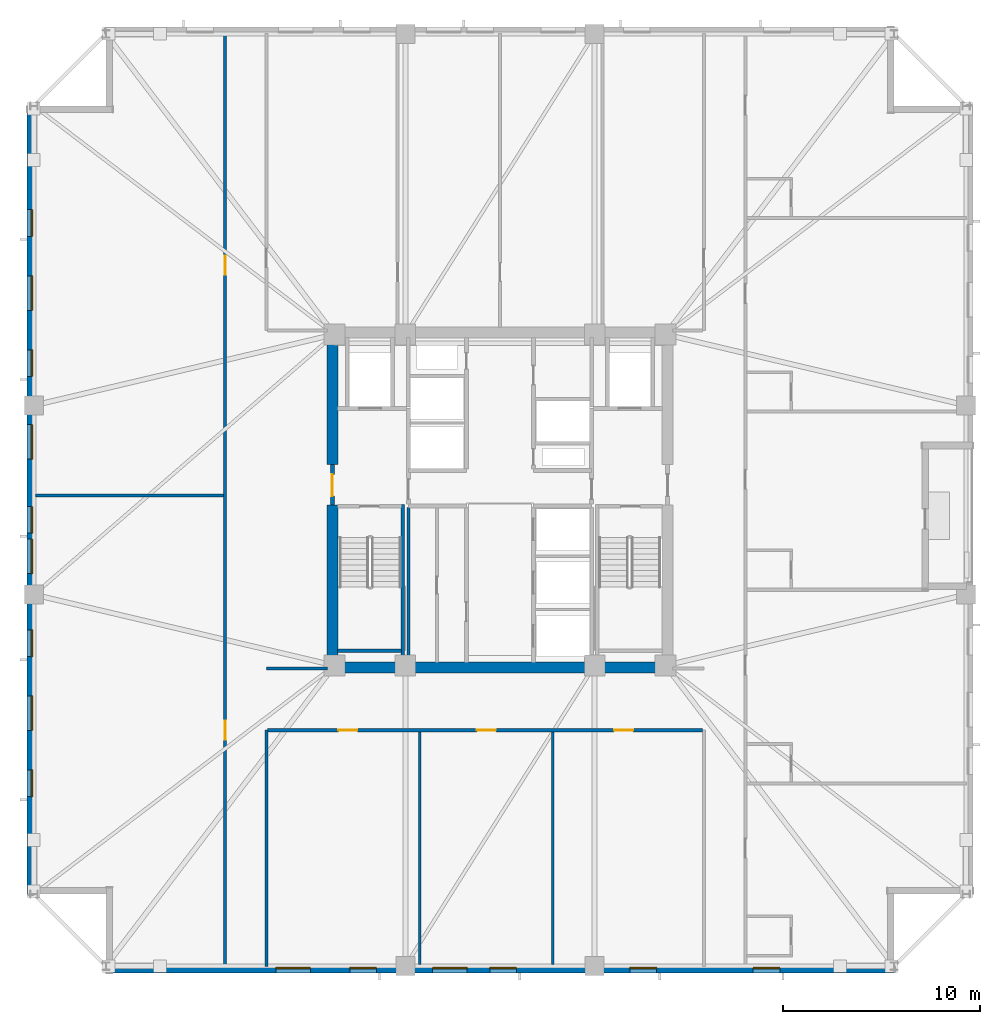
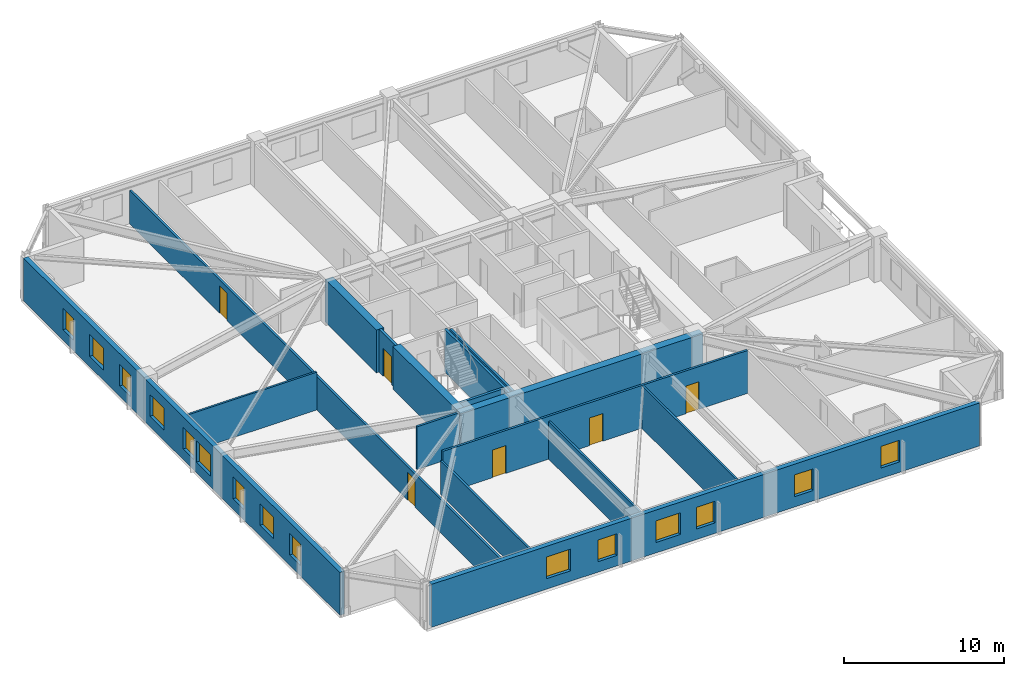
# One storey, part 2 of 10: 16 walls, 15 windows, 6 doors, 21 openings.
"""IFC4 building model written with IfcOpenShell, lengths in metres."""

from ifc_helpers import new_model, si_unit, direction, frame, frame_2d, origin, place, context, subcontext, project, spatial, rectangle, extrude, material, layer, layer_set, type_object, element, fill, save


model = new_model("IFC4")

# Units and contexts
model_context = context("Model", 3, precision=1e-05, world=origin(), true_north=direction((0.0, 1.0)))
body_context = subcontext(model_context, "Body", "Model", "MODEL_VIEW")
ifc_project = project(units=[si_unit("LENGTHUNIT", "METRE"), si_unit("AREAUNIT", "SQUARE_METRE"), si_unit("VOLUMEUNIT", "CUBIC_METRE"), si_unit("PLANEANGLEUNIT", "RADIAN"), si_unit("MASSUNIT", "GRAM", prefix="KILO")], contexts=[model_context])

# Site, building, storey
site_placement = place(None, origin())
site = spatial("IfcSite", under=ifc_project, at=site_placement, CompositionType="ELEMENT")
building_placement = place(site_placement, origin())
building = spatial("IfcBuilding", under=site, at=building_placement, Name="Cairnveth Concourse Tower", CompositionType="ELEMENT")
storey_placement = place(building_placement, frame((0.0, 0.0, 183.0)))
storey = spatial("IfcBuildingStorey", under=building, at=storey_placement, Name="L50", CompositionType="ELEMENT", Elevation=183.0)

# Wall
ifc_material_1 = material(Name="Gypsum Plasterboard Partition", Category="gypsum")
ifc_layer_1 = layer(ifc_material_1, 0.159912109375)
ifc_layer_set_1 = layer_set([ifc_layer_1], Name="Gypsum Plasterboard Partition")
wall_type_1 = type_object("IfcWallType", Name="ACOUSTIC PARTY WALL 180", PredefinedType="PARTITIONING", material=ifc_layer_set_1)
wall_1_placement = place(storey_placement, frame((47.35009765625, 30.760009765625, 0.0), z_axis=(0.0, 0.0, 1.0), x_axis=(0.0, 1.0, 0.0)))
element("IfcWall", 1, at=wall_1_placement, inside=storey, type_object=wall_type_1, Name="Interior Wall IW-L50-025", PredefinedType="PARTITIONING", context=body_context, shape_type="SweptSolid", body=[
    extrude(rectangle(XDim=7.85498046875, YDim=0.159912109375, at=frame_2d((3.927490234375, 0.0))), origin(), (0.0, 0.0, 1.0), 3.280029296875),
])

# Wall, openings, doors
wall_2_placement = place(storey_placement, frame((38.050048828125, 15.324951171875, 0.0), z_axis=(0.0, 0.0, 1.0), x_axis=(0.0, 1.0, 0.0)))
wall_2 = element("IfcWall", 2, at=wall_2_placement, inside=storey, type_object=wall_type_1, Name="Interior Wall IW-L50-036", PredefinedType="PARTITIONING", context=body_context, shape_type="SweptSolid", body=[
    extrude(rectangle(XDim=47.35009765625, YDim=0.159912109375, at=frame_2d((23.675048828125, 0.0))), origin(), (0.0, 0.0, 1.0), 2.554931640625),
])
opening_1_placement = place(wall_2_placement, frame((11.521240234375, 0.0, 0.0)))
opening_1 = element("IfcOpeningElement", 3, at=opening_1_placement, cuts=wall_2, Name="Opening ID11", PredefinedType="OPENING", context=body_context, shape_type="SweptSolid", body=[
    extrude(rectangle(XDim=0.9599609375, YDim=2.1201171875, at=frame_2d((0.47998046875, 1.06005859375))), frame((0.0, 0.08984375, 0.0), z_axis=(0.0, -1.0, 0.0), x_axis=(1.0, 0.0, 0.0)), (0.0, 0.0, 1.0), 0.179931640625),
])
opening_2_placement = place(wall_2_placement, frame((35.101318359375, 0.0, 0.0)))
opening_2 = element("IfcOpeningElement", 4, at=opening_2_placement, cuts=wall_2, Name="Opening ID11", PredefinedType="OPENING", context=body_context, shape_type="SweptSolid", body=[
    extrude(rectangle(XDim=0.9599609375, YDim=2.1201171875, at=frame_2d((0.47998046875, 1.06005859375))), frame((0.0, 0.08984375, 0.0), z_axis=(0.0, -1.0, 0.0), x_axis=(1.0, 0.0, 0.0)), (0.0, 0.0, 1.0), 0.179931640625),
])
ifc_material_2 = material(Name="Solid Core Hardwood Timber Leaf", Category="wood")
door_type_1 = type_object("IfcDoorType", Name="INTERIOR SINGLE DOOR 960X2150", OperationType="NOTDEFINED", PredefinedType="DOOR", material=ifc_material_2)
door_1_placement = place(opening_1_placement, origin())
door_1 = element("IfcDoor", 5, at=door_1_placement, inside=storey, type_object=door_type_1, Name="Office Door L50-W1", OperationType="SINGLE_SWING_RIGHT", OverallHeight=2.1201171875, OverallWidth=0.9599609375, PredefinedType="DOOR", context=body_context, shape_type="SweptSolid", body=[
    extrude(rectangle(XDim=0.9599609375, YDim=2.1201171875, at=frame_2d((0.47998046875, 1.06005859375))), frame((0.0, 0.02490234375, 0.0), z_axis=(0.0, -1.0, 0.0), x_axis=(1.0, 0.0, 0.0)), (0.0, 0.0, 1.0), 0.050048828125),
])
fill(opening_1, door_1)
door_2_placement = place(opening_2_placement, origin())
door_2 = element("IfcDoor", 6, at=door_2_placement, inside=storey, type_object=door_type_1, Name="Office Door L50-W2", OperationType="SINGLE_SWING_LEFT", OverallHeight=2.1201171875, OverallWidth=0.9599609375, PredefinedType="DOOR", context=body_context, shape_type="SweptSolid", body=[
    extrude(rectangle(XDim=0.9599609375, YDim=2.1201171875, at=frame_2d((0.47998046875, 1.06005859375))), frame((0.0, 0.02490234375, 0.0), z_axis=(0.0, -1.0, 0.0), x_axis=(1.0, 0.0, 0.0)), (0.0, 0.0, 1.0), 0.050048828125),
])
fill(opening_2, door_2)

# Walls
wall_3_placement = place(storey_placement, frame((40.14990234375, 15.324951171875, 0.0), z_axis=(0.0, 0.0, 1.0), x_axis=(0.0, 1.0, 0.0)))
element("IfcWall", 7, at=wall_3_placement, inside=storey, type_object=wall_type_1, Name="Interior Wall IW-L50-037", PredefinedType="PARTITIONING", context=body_context, shape_type="SweptSolid", body=[
    extrude(rectangle(XDim=11.9951171875, YDim=0.159912109375, at=frame_2d((5.99755859375, 0.0))), origin(), (0.0, 0.0, 1.0), 2.554931640625),
])
wall_4_placement = place(storey_placement, frame((40.14990234375, 30.449951171875, 0.0), z_axis=(0.0, 0.0, 1.0), x_axis=(1.0, 0.0, 0.0)))
element("IfcWall", 8, at=wall_4_placement, inside=storey, type_object=wall_type_1, Name="Interior Wall IW-L50-039", PredefinedType="PARTITIONING", context=body_context, shape_type="SweptSolid", body=[
    extrude(rectangle(XDim=3.085205078125, YDim=0.159912109375, at=frame_2d((1.54248046875, 0.0))), origin(), (0.0, 0.0, 1.0), 3.280029296875),
])

# Wall, openings, doors
wall_5_placement = place(storey_placement, frame((40.215087890625, 27.320068359375, 0.0), z_axis=(0.0, 0.0, 1.0), x_axis=(1.0, 0.0, 0.0)))
wall_5 = element("IfcWall", 9, at=wall_5_placement, inside=storey, type_object=wall_type_1, Name="Interior Wall IW-L50-046", PredefinedType="PARTITIONING", context=body_context, shape_type="SweptSolid", body=[
    extrude(rectangle(XDim=22.06982421875, YDim=0.159912109375, at=frame_2d((11.034912109375, 0.0))), origin(), (0.0, 0.0, 1.0), 3.280029296875),
])
opening_3_placement = place(wall_5_placement, frame((3.587158203125, 0.0, 0.0)))
opening_3 = element("IfcOpeningElement", 10, at=opening_3_placement, cuts=wall_5, Name="Opening ID11", PredefinedType="OPENING", context=body_context, shape_type="SweptSolid", body=[
    extrude(rectangle(XDim=0.9599609375, YDim=2.1201171875, at=frame_2d((0.47998046875, 1.06005859375))), frame((0.0, 0.08984375, 0.0), z_axis=(0.0, -1.0, 0.0), x_axis=(1.0, 0.0, 0.0)), (0.0, 0.0, 1.0), 0.179931640625),
])
opening_4_placement = place(wall_5_placement, frame((10.610107421875, 0.0, 0.0)))
opening_4 = element("IfcOpeningElement", 11, at=opening_4_placement, cuts=wall_5, Name="Opening ID11", PredefinedType="OPENING", context=body_context, shape_type="SweptSolid", body=[
    extrude(rectangle(XDim=0.9599609375, YDim=2.1201171875, at=frame_2d((0.47998046875, 1.06005859375))), frame((0.0, 0.08984375, 0.0), z_axis=(0.0, -1.0, 0.0), x_axis=(1.0, 0.0, 0.0)), (0.0, 0.0, 1.0), 0.179931640625),
])
opening_5_placement = place(wall_5_placement, frame((17.577880859375, 0.0, 0.0)))
opening_5 = element("IfcOpeningElement", 12, at=opening_5_placement, cuts=wall_5, Name="Opening ID11", PredefinedType="OPENING", context=body_context, shape_type="SweptSolid", body=[
    extrude(rectangle(XDim=0.9599609375, YDim=2.1201171875, at=frame_2d((0.47998046875, 1.06005859375))), frame((0.0, 0.08984375, 0.0), z_axis=(0.0, -1.0, 0.0), x_axis=(1.0, 0.0, 0.0)), (0.0, 0.0, 1.0), 0.179931640625),
])
door_3_placement = place(opening_3_placement, origin())
door_3 = element("IfcDoor", 13, at=door_3_placement, inside=storey, type_object=door_type_1, Name="Office Door L50-S1", OperationType="SINGLE_SWING_LEFT", OverallHeight=2.1201171875, OverallWidth=0.9599609375, PredefinedType="DOOR", context=body_context, shape_type="SweptSolid", body=[
    extrude(rectangle(XDim=0.9599609375, YDim=2.1201171875, at=frame_2d((0.47998046875, 1.06005859375))), frame((0.0, 0.02490234375, 0.0), z_axis=(0.0, -1.0, 0.0), x_axis=(1.0, 0.0, 0.0)), (0.0, 0.0, 1.0), 0.050048828125),
])
fill(opening_3, door_3)
door_4_placement = place(opening_4_placement, origin())
door_4 = element("IfcDoor", 14, at=door_4_placement, inside=storey, type_object=door_type_1, Name="Office Door L50-S2", OperationType="SINGLE_SWING_RIGHT", OverallHeight=2.1201171875, OverallWidth=0.9599609375, PredefinedType="DOOR", context=body_context, shape_type="SweptSolid", body=[
    extrude(rectangle(XDim=0.9599609375, YDim=2.1201171875, at=frame_2d((0.47998046875, 1.06005859375))), frame((0.0, 0.02490234375, 0.0), z_axis=(0.0, -1.0, 0.0), x_axis=(1.0, 0.0, 0.0)), (0.0, 0.0, 1.0), 0.050048828125),
])
fill(opening_4, door_4)
door_5_placement = place(opening_5_placement, origin())
door_5 = element("IfcDoor", 15, at=door_5_placement, inside=storey, type_object=door_type_1, Name="Office Door L50-S3", OperationType="SINGLE_SWING_LEFT", OverallHeight=2.1201171875, OverallWidth=0.9599609375, PredefinedType="DOOR", context=body_context, shape_type="SweptSolid", body=[
    extrude(rectangle(XDim=0.9599609375, YDim=2.1201171875, at=frame_2d((0.47998046875, 1.06005859375))), frame((0.0, 0.02490234375, 0.0), z_axis=(0.0, -1.0, 0.0), x_axis=(1.0, 0.0, 0.0)), (0.0, 0.0, 1.0), 0.050048828125),
])
fill(opening_5, door_5)

# Walls
ifc_material_3 = material(Name="Concrete N80 (80 MPa)", Category="concrete")
ifc_layer_2 = layer(ifc_material_3, 0.550048828125)
ifc_layer_set_2 = layer_set([ifc_layer_2], Name="Concrete N80 (80 MPa)")
wall_type_2 = type_object("IfcWallType", Name="CORE SHEAR WALL 550", PredefinedType="SHEAR", material=ifc_layer_set_2)
wall_6_placement = place(storey_placement, frame((43.22509765625, 30.5, 0.0), z_axis=(0.0, 0.0, 1.0), x_axis=(1.0, 0.0, 0.0)))
element("IfcWall", 16, at=wall_6_placement, inside=storey, type_object=wall_type_2, Name="Core South Shear Wall L50", PredefinedType="SHEAR", context=body_context, shape_type="SweptSolid", body=[
    extrude(rectangle(XDim=17.5498046875, YDim=0.550048828125, at=frame_2d((8.77490234375, 0.0))), origin(), (0.0, 0.0, 1.0), 3.280029296875),
])
wall_7_placement = place(storey_placement, frame((43.5, 30.764892578125, 0.0), z_axis=(0.0, 0.0, 1.0), x_axis=(0.0, 1.0, 0.0)))
element("IfcWall", 17, at=wall_7_placement, inside=storey, type_object=wall_type_2, Name="Core West Shear Wall S L50", PredefinedType="SHEAR", context=body_context, shape_type="SweptSolid", body=[
    extrude(rectangle(XDim=7.985107421875, YDim=0.550048828125, at=frame_2d((3.99267578125, 0.0))), origin(), (0.0, 0.0, 1.0), 3.280029296875),
])
wall_8_placement = place(storey_placement, frame((43.5, 40.800048828125, 0.0), z_axis=(0.0, 0.0, 1.0), x_axis=(0.0, 1.0, 0.0)))
element("IfcWall", 18, at=wall_8_placement, inside=storey, type_object=wall_type_2, Name="Core West Shear Wall N L50", PredefinedType="SHEAR", context=body_context, shape_type="SweptSolid", body=[
    extrude(rectangle(XDim=6.43505859375, YDim=0.550048828125, at=frame_2d((3.217529296875, 0.0))), origin(), (0.0, 0.0, 1.0), 3.280029296875),
])
ifc_material_4 = material(Name="Concrete N50 (50 MPa)", Category="concrete")
ifc_layer_3 = layer(ifc_material_4, 0.179931640625)
ifc_layer_set_3 = layer_set([ifc_layer_3], Name="Concrete N50 (50 MPa)")
wall_type_3 = type_object("IfcWallType", Name="FIRE SHAFT WALL 180", PredefinedType="SOLIDWALL", material=ifc_layer_set_3)
wall_9_placement = place(storey_placement, frame((43.764892578125, 31.360107421875, 0.0), z_axis=(0.0, 0.0, 1.0), x_axis=(1.0, 0.0, 0.0)))
element("IfcWall", 19, at=wall_9_placement, inside=storey, type_object=wall_type_3, Name="Stair ST-1 Shaft Wall FAR L50", PredefinedType="SOLIDWALL", context=body_context, shape_type="SweptSolid", body=[
    extrude(rectangle(XDim=3.230224609375, YDim=0.179931640625, at=frame_2d((1.615234375, 0.0))), origin(), (0.0, 0.0, 1.0), 3.280029296875),
])
wall_10_placement = place(storey_placement, frame((47.070068359375, 38.780029296875, 0.0), z_axis=(0.0, 0.0, 1.0), x_axis=(0.0, -1.0, 0.0)))
element("IfcWall", 20, at=wall_10_placement, inside=storey, type_object=wall_type_3, Name="Stair ST-1 Shaft Wall RGHT L50", PredefinedType="SOLIDWALL", context=body_context, shape_type="SweptSolid", body=[
    extrude(rectangle(XDim=8.01708984375, YDim=0.179931640625, at=frame_2d((4.008544921875, 0.0))), origin(), (0.0, 0.0, 1.0), 3.280029296875),
])

# Wall, opening, door
ifc_layer_4 = layer(ifc_material_4, 0.199951171875)
ifc_layer_set_4 = layer_set([ifc_layer_4], Name="Concrete N50 (50 MPa)")
wall_type_4 = type_object("IfcWallType", Name="FIRE SHAFT WALL 200", PredefinedType="SOLIDWALL", material=ifc_layer_set_4)
wall_11_placement = place(storey_placement, frame((43.5, 38.75, 0.0), z_axis=(0.0, 0.0, 1.0), x_axis=(0.0, 1.0, 0.0)))
wall_11 = element("IfcWall", 21, at=wall_11_placement, inside=storey, type_object=wall_type_4, Name="Interior Wall IW-L50-015", PredefinedType="SOLIDWALL", context=body_context, shape_type="SweptSolid", body=[
    extrude(rectangle(XDim=2.050048828125, YDim=0.199951171875, at=frame_2d((1.02490234375, 0.0))), origin(), (0.0, 0.0, 1.0), 3.280029296875),
])
opening_6_placement = place(wall_11_placement, frame((0.449951171875, 0.0, 0.0)))
opening_6 = element("IfcOpeningElement", 22, at=opening_6_placement, cuts=wall_11, Name="Opening ID06", PredefinedType="OPENING", context=body_context, shape_type="SweptSolid", body=[
    extrude(rectangle(XDim=1.10009765625, YDim=2.14990234375, at=frame_2d((0.550048828125, 1.074951171875))), frame((0.0, 0.10986328125, 0.0), z_axis=(0.0, -1.0, 0.0), x_axis=(1.0, 0.0, 0.0)), (0.0, 0.0, 1.0), 0.219970703125),
])
ifc_material_5 = material(Name="Steel Grade 350", Category="steel")
door_type_2 = type_object("IfcDoorType", Name="FIRE CORRIDOR DOOR 1100X2150", OperationType="NOTDEFINED", PredefinedType="DOOR", material=ifc_material_5)
door_6_placement = place(opening_6_placement, origin())
door_6 = element("IfcDoor", 23, at=door_6_placement, inside=storey, type_object=door_type_2, Name="West Wing to FF Lobby Door L50", OperationType="SINGLE_SWING_LEFT", OverallHeight=2.14990234375, OverallWidth=1.10009765625, PredefinedType="DOOR", context=body_context, shape_type="SweptSolid", body=[
    extrude(rectangle(XDim=1.10009765625, YDim=2.14990234375, at=frame_2d((0.550048828125, 1.074951171875))), frame((0.0, 0.02490234375, 0.0), z_axis=(0.0, -1.0, 0.0), x_axis=(1.0, 0.0, 0.0)), (0.0, 0.0, 1.0), 0.050048828125),
])
fill(opening_6, door_6)

# Walls
ifc_layer_5 = layer(ifc_material_1, 0.139892578125)
ifc_layer_set_5 = layer_set([ifc_layer_5], Name="Gypsum Plasterboard Partition")
wall_type_5 = type_object("IfcWallType", Name="GYPSUM STUD PARTITION 140", PredefinedType="PARTITIONING", material=ifc_layer_set_5)
wall_12_placement = place(storey_placement, frame((47.93408203125, 15.419921875, 0.0), z_axis=(0.0, 0.0, 1.0), x_axis=(0.0, 1.0, 0.0)))
element("IfcWall", 24, at=wall_12_placement, inside=storey, type_object=wall_type_5, Name="Interior Wall IW-L50-050", PredefinedType="PARTITIONING", context=body_context, shape_type="SweptSolid", body=[
    extrude(rectangle(XDim=11.820068359375, YDim=0.139892578125, at=frame_2d((5.91015625, 0.0))), origin(), (0.0, 0.0, 1.0), 2.89599609375),
])
wall_13_placement = place(storey_placement, frame((54.67578125, 15.419921875, 0.0), z_axis=(0.0, 0.0, 1.0), x_axis=(0.0, 1.0, 0.0)))
element("IfcWall", 25, at=wall_13_placement, inside=storey, type_object=wall_type_5, Name="Interior Wall IW-L50-051", PredefinedType="PARTITIONING", context=body_context, shape_type="SweptSolid", body=[
    extrude(rectangle(XDim=11.820068359375, YDim=0.139892578125, at=frame_2d((5.91015625, 0.0))), origin(), (0.0, 0.0, 1.0), 3.280029296875),
])
wall_14_placement = place(storey_placement, frame((28.419921875, 39.232421875, 0.0), z_axis=(0.0, 0.0, 1.0), x_axis=(1.0, 0.0, 0.0)))
element("IfcWall", 26, at=wall_14_placement, inside=storey, type_object=wall_type_5, Name="Interior Wall IW-L50-052", PredefinedType="PARTITIONING", context=body_context, shape_type="SweptSolid", body=[
    extrude(rectangle(XDim=9.550048828125, YDim=0.139892578125, at=frame_2d((4.77490234375, 0.0))), origin(), (0.0, 0.0, 1.0), 2.89599609375),
])

# Wall, openings, windows
ifc_material_6 = material(Name="Hawthorn Red-Ochre Fired Clay Brick Masonry", Category="masonry")
ifc_layer_6 = layer(ifc_material_6, 0.340087890625)
ifc_layer_set_6 = layer_set([ifc_layer_6], Name="Hawthorn Red-Ochre Fired Clay Brick Masonry")
wall_type_6 = type_object("IfcWallType", Name="ZONE 2 BRICK PIER SPANDREL WALL 340", PredefinedType="SOLIDWALL", material=ifc_layer_set_6)
wall_15_placement = place(storey_placement, frame((72.0, 15.169921875, 0.0), z_axis=(0.0, 0.0, 1.0), x_axis=(-1.0, 0.0, 0.0)))
wall_15 = element("IfcWall", 27, at=wall_15_placement, inside=storey, type_object=wall_type_6, Name="Exterior Wall EW-L50-S03", PredefinedType="SOLIDWALL", context=body_context, shape_type="SweptSolid", body=[
    extrude(rectangle(XDim=39.681884765625, YDim=0.340087890625, at=frame_2d((19.8408203125, 0.0))), origin(), (0.0, 0.0, 1.0), 3.280029296875),
])
opening_7_placement = place(wall_15_placement, frame((5.8017578125, 0.0, 0.800048828125)))
opening_7 = element("IfcOpeningElement", 28, at=opening_7_placement, cuts=wall_15, Name="Opening W02", PredefinedType="OPENING", context=body_context, shape_type="SweptSolid", body=[
    extrude(rectangle(XDim=1.35009765625, YDim=1.659912109375, at=frame_2d((0.675048828125, 0.830078125))), frame((0.0, 0.179931640625, 0.0), z_axis=(0.0, -1.0, 0.0), x_axis=(1.0, 0.0, 0.0)), (0.0, 0.0, 1.0), 0.360107421875),
])
opening_8_placement = place(wall_15_placement, frame((12.058837890625, 0.0, 0.800048828125)))
opening_8 = element("IfcOpeningElement", 29, at=opening_8_placement, cuts=wall_15, Name="Opening W02", PredefinedType="OPENING", context=body_context, shape_type="SweptSolid", body=[
    extrude(rectangle(XDim=1.35009765625, YDim=1.659912109375, at=frame_2d((0.675048828125, 0.830078125))), frame((0.0, 0.179931640625, 0.0), z_axis=(0.0, -1.0, 0.0), x_axis=(1.0, 0.0, 0.0)), (0.0, 0.0, 1.0), 0.360107421875),
])
opening_9_placement = place(wall_15_placement, frame((19.166015625, 0.0, 0.800048828125)))
opening_9 = element("IfcOpeningElement", 30, at=opening_9_placement, cuts=wall_15, Name="Opening W02", PredefinedType="OPENING", context=body_context, shape_type="SweptSolid", body=[
    extrude(rectangle(XDim=1.35009765625, YDim=1.659912109375, at=frame_2d((0.675048828125, 0.830078125))), frame((0.0, 0.179931640625, 0.0), z_axis=(0.0, -1.0, 0.0), x_axis=(1.0, 0.0, 0.0)), (0.0, 0.0, 1.0), 0.360107421875),
])
opening_10_placement = place(wall_15_placement, frame((21.669677734375, 0.0, 0.800048828125)))
opening_10 = element("IfcOpeningElement", 31, at=opening_10_placement, cuts=wall_15, Name="Opening W06", PredefinedType="OPENING", context=body_context, shape_type="SweptSolid", body=[
    extrude(rectangle(XDim=1.75, YDim=1.659912109375, at=frame_2d((0.875, 0.830078125))), frame((0.0, 0.179931640625, 0.0), z_axis=(0.0, -1.0, 0.0), x_axis=(1.0, 0.0, 0.0)), (0.0, 0.0, 1.0), 0.360107421875),
])
opening_11_placement = place(wall_15_placement, frame((26.273193359375, 0.0, 0.800048828125)))
opening_11 = element("IfcOpeningElement", 32, at=opening_11_placement, cuts=wall_15, Name="Opening W02", PredefinedType="OPENING", context=body_context, shape_type="SweptSolid", body=[
    extrude(rectangle(XDim=1.35009765625, YDim=1.659912109375, at=frame_2d((0.675048828125, 0.830078125))), frame((0.0, 0.179931640625, 0.0), z_axis=(0.0, -1.0, 0.0), x_axis=(1.0, 0.0, 0.0)), (0.0, 0.0, 1.0), 0.360107421875),
])
opening_12_placement = place(wall_15_placement, frame((29.626708984375, 0.0, 0.800048828125)))
opening_12 = element("IfcOpeningElement", 33, at=opening_12_placement, cuts=wall_15, Name="Opening W06", PredefinedType="OPENING", context=body_context, shape_type="SweptSolid", body=[
    extrude(rectangle(XDim=1.75, YDim=1.659912109375, at=frame_2d((0.875, 0.830078125))), frame((0.0, 0.179931640625, 0.0), z_axis=(0.0, -1.0, 0.0), x_axis=(1.0, 0.0, 0.0)), (0.0, 0.0, 1.0), 0.360107421875),
])
ifc_material_7 = material(Name="Double Glazed Low-E Clear Glass", Category="glass")
window_type_1 = type_object("IfcWindowType", Name="DEEP-SET GOTHIC LANCET WINDOW 1350X1800", PartitioningType="DOUBLE_PANEL_VERTICAL", PredefinedType="WINDOW", material=ifc_material_7)
window_1_placement = place(opening_7_placement, origin())
window_1 = element("IfcWindow", 34, at=window_1_placement, inside=storey, type_object=window_type_1, Name="Gothic Lancet Window L50-3-1", OverallHeight=1.659912109375, OverallWidth=1.35009765625, PartitioningType="SINGLE_PANEL", PredefinedType="WINDOW", context=body_context, shape_type="SweptSolid", body=[
    extrude(rectangle(XDim=1.35009765625, YDim=1.659912109375, at=frame_2d((0.675048828125, 0.830078125))), frame((0.0, -0.050048828125, 0.0), z_axis=(0.0, -1.0, 0.0), x_axis=(1.0, 0.0, 0.0)), (0.0, 0.0, 1.0), 0.06005859375),
])
fill(opening_7, window_1)
window_2_placement = place(opening_8_placement, origin())
window_2 = element("IfcWindow", 35, at=window_2_placement, inside=storey, type_object=window_type_1, Name="Gothic Lancet Window L50-3-3", OverallHeight=1.659912109375, OverallWidth=1.35009765625, PartitioningType="SINGLE_PANEL", PredefinedType="WINDOW", context=body_context, shape_type="SweptSolid", body=[
    extrude(rectangle(XDim=1.35009765625, YDim=1.659912109375, at=frame_2d((0.675048828125, 0.830078125))), frame((0.0, -0.050048828125, 0.0), z_axis=(0.0, -1.0, 0.0), x_axis=(1.0, 0.0, 0.0)), (0.0, 0.0, 1.0), 0.06005859375),
])
fill(opening_8, window_2)
window_3_placement = place(opening_9_placement, origin())
window_3 = element("IfcWindow", 36, at=window_3_placement, inside=storey, type_object=window_type_1, Name="Gothic Lancet Window L50-3-5", OverallHeight=1.659912109375, OverallWidth=1.35009765625, PartitioningType="SINGLE_PANEL", PredefinedType="WINDOW", context=body_context, shape_type="SweptSolid", body=[
    extrude(rectangle(XDim=1.35009765625, YDim=1.659912109375, at=frame_2d((0.675048828125, 0.830078125))), frame((0.0, -0.050048828125, 0.0), z_axis=(0.0, -1.0, 0.0), x_axis=(1.0, 0.0, 0.0)), (0.0, 0.0, 1.0), 0.06005859375),
])
fill(opening_9, window_3)
window_4_placement = place(opening_11_placement, origin())
window_4 = element("IfcWindow", 37, at=window_4_placement, inside=storey, type_object=window_type_1, Name="Gothic Lancet Window L50-3-7", OverallHeight=1.659912109375, OverallWidth=1.35009765625, PartitioningType="SINGLE_PANEL", PredefinedType="WINDOW", context=body_context, shape_type="SweptSolid", body=[
    extrude(rectangle(XDim=1.35009765625, YDim=1.659912109375, at=frame_2d((0.675048828125, 0.830078125))), frame((0.0, -0.050048828125, 0.0), z_axis=(0.0, -1.0, 0.0), x_axis=(1.0, 0.0, 0.0)), (0.0, 0.0, 1.0), 0.06005859375),
])
fill(opening_11, window_4)
window_type_2 = type_object("IfcWindowType", Name="DEEP-SET HOTEL SUITE WINDOW 1750X1800", PartitioningType="DOUBLE_PANEL_VERTICAL", PredefinedType="WINDOW", material=ifc_material_7)
window_5_placement = place(opening_10_placement, origin())
window_5 = element("IfcWindow", 38, at=window_5_placement, inside=storey, type_object=window_type_2, Name="Gothic Lancet Window L50-3-6", OverallHeight=1.659912109375, OverallWidth=1.75, PartitioningType="SINGLE_PANEL", PredefinedType="WINDOW", context=body_context, shape_type="SweptSolid", body=[
    extrude(rectangle(XDim=1.75, YDim=1.659912109375, at=frame_2d((0.875, 0.830078125))), frame((0.0, -0.050048828125, 0.0), z_axis=(0.0, -1.0, 0.0), x_axis=(1.0, 0.0, 0.0)), (0.0, 0.0, 1.0), 0.06005859375),
])
fill(opening_10, window_5)
window_6_placement = place(opening_12_placement, origin())
window_6 = element("IfcWindow", 39, at=window_6_placement, inside=storey, type_object=window_type_2, Name="Gothic Lancet Window L50-3-8", OverallHeight=1.659912109375, OverallWidth=1.75, PartitioningType="SINGLE_PANEL", PredefinedType="WINDOW", context=body_context, shape_type="SweptSolid", body=[
    extrude(rectangle(XDim=1.75, YDim=1.659912109375, at=frame_2d((0.875, 0.830078125))), frame((0.0, -0.050048828125, 0.0), z_axis=(0.0, -1.0, 0.0), x_axis=(1.0, 0.0, 0.0)), (0.0, 0.0, 1.0), 0.06005859375),
])
fill(opening_12, window_6)

wall_16_placement = place(storey_placement, frame((28.169921875, 19.0, 0.0), z_axis=(0.0, 0.0, 1.0), x_axis=(0.0, 1.0, 0.0)))
wall_16 = element("IfcWall", 40, at=wall_16_placement, inside=storey, type_object=wall_type_6, Name="Exterior Wall EW-L50-S06", PredefinedType="SOLIDWALL", context=body_context, shape_type="SweptSolid", body=[
    extrude(rectangle(XDim=39.681884765625, YDim=0.340087890625, at=frame_2d((19.8408203125, 0.0))), origin(), (0.0, 0.0, 1.0), 3.280029296875),
])
opening_13_placement = place(wall_16_placement, frame((4.951904296875, 0.0, 0.800048828125)))
opening_13 = element("IfcOpeningElement", 41, at=opening_13_placement, cuts=wall_16, Name="Opening W02", PredefinedType="OPENING", context=body_context, shape_type="SweptSolid", body=[
    extrude(rectangle(XDim=1.35009765625, YDim=1.659912109375, at=frame_2d((0.675048828125, 0.830078125))), frame((0.0, 0.179931640625, 0.0), z_axis=(0.0, -1.0, 0.0), x_axis=(1.0, 0.0, 0.0)), (0.0, 0.0, 1.0), 0.360107421875),
])
opening_14_placement = place(wall_16_placement, frame((8.305419921875, 0.0, 0.800048828125)))
opening_14 = element("IfcOpeningElement", 42, at=opening_14_placement, cuts=wall_16, Name="Opening W06", PredefinedType="OPENING", context=body_context, shape_type="SweptSolid", body=[
    extrude(rectangle(XDim=1.75, YDim=1.659912109375, at=frame_2d((0.875, 0.830078125))), frame((0.0, 0.179931640625, 0.0), z_axis=(0.0, -1.0, 0.0), x_axis=(1.0, 0.0, 0.0)), (0.0, 0.0, 1.0), 0.360107421875),
])
opening_15_placement = place(wall_16_placement, frame((12.058837890625, 0.0, 0.800048828125)))
opening_15 = element("IfcOpeningElement", 43, at=opening_15_placement, cuts=wall_16, Name="Opening W02", PredefinedType="OPENING", context=body_context, shape_type="SweptSolid", body=[
    extrude(rectangle(XDim=1.35009765625, YDim=1.659912109375, at=frame_2d((0.675048828125, 0.830078125))), frame((0.0, 0.179931640625, 0.0), z_axis=(0.0, -1.0, 0.0), x_axis=(1.0, 0.0, 0.0)), (0.0, 0.0, 1.0), 0.360107421875),
])
opening_16_placement = place(wall_16_placement, frame((16.262451171875, 0.0, 0.800048828125)))
opening_16 = element("IfcOpeningElement", 44, at=opening_16_placement, cuts=wall_16, Name="Opening W06", PredefinedType="OPENING", context=body_context, shape_type="SweptSolid", body=[
    extrude(rectangle(XDim=1.75, YDim=1.659912109375, at=frame_2d((0.875, 0.830078125))), frame((0.0, 0.179931640625, 0.0), z_axis=(0.0, -1.0, 0.0), x_axis=(1.0, 0.0, 0.0)), (0.0, 0.0, 1.0), 0.360107421875),
])
opening_17_placement = place(wall_16_placement, frame((18.31591796875, 0.0, 0.800048828125)))
opening_17 = element("IfcOpeningElement", 45, at=opening_17_placement, cuts=wall_16, Name="Opening W02", PredefinedType="OPENING", context=body_context, shape_type="SweptSolid", body=[
    extrude(rectangle(XDim=1.35009765625, YDim=1.659912109375, at=frame_2d((0.675048828125, 0.830078125))), frame((0.0, 0.179931640625, 0.0), z_axis=(0.0, -1.0, 0.0), x_axis=(1.0, 0.0, 0.0)), (0.0, 0.0, 1.0), 0.360107421875),
])
opening_18_placement = place(wall_16_placement, frame((22.069580078125, 0.0, 0.800048828125)))
opening_18 = element("IfcOpeningElement", 46, at=opening_18_placement, cuts=wall_16, Name="Opening W06", PredefinedType="OPENING", context=body_context, shape_type="SweptSolid", body=[
    extrude(rectangle(XDim=1.75, YDim=1.659912109375, at=frame_2d((0.875, 0.830078125))), frame((0.0, 0.179931640625, 0.0), z_axis=(0.0, -1.0, 0.0), x_axis=(1.0, 0.0, 0.0)), (0.0, 0.0, 1.0), 0.360107421875),
])
opening_19_placement = place(wall_16_placement, frame((26.273193359375, 0.0, 0.800048828125)))
opening_19 = element("IfcOpeningElement", 47, at=opening_19_placement, cuts=wall_16, Name="Opening W02", PredefinedType="OPENING", context=body_context, shape_type="SweptSolid", body=[
    extrude(rectangle(XDim=1.35009765625, YDim=1.659912109375, at=frame_2d((0.675048828125, 0.830078125))), frame((0.0, 0.179931640625, 0.0), z_axis=(0.0, -1.0, 0.0), x_axis=(1.0, 0.0, 0.0)), (0.0, 0.0, 1.0), 0.360107421875),
])
opening_20_placement = place(wall_16_placement, frame((29.626708984375, 0.0, 0.800048828125)))
opening_20 = element("IfcOpeningElement", 48, at=opening_20_placement, cuts=wall_16, Name="Opening W06", PredefinedType="OPENING", context=body_context, shape_type="SweptSolid", body=[
    extrude(rectangle(XDim=1.75, YDim=1.659912109375, at=frame_2d((0.875, 0.830078125))), frame((0.0, 0.179931640625, 0.0), z_axis=(0.0, -1.0, 0.0), x_axis=(1.0, 0.0, 0.0)), (0.0, 0.0, 1.0), 0.360107421875),
])
opening_21_placement = place(wall_16_placement, frame((33.380126953125, 0.0, 0.800048828125)))
opening_21 = element("IfcOpeningElement", 49, at=opening_21_placement, cuts=wall_16, Name="Opening W02", PredefinedType="OPENING", context=body_context, shape_type="SweptSolid", body=[
    extrude(rectangle(XDim=1.35009765625, YDim=1.659912109375, at=frame_2d((0.675048828125, 0.830078125))), frame((0.0, 0.179931640625, 0.0), z_axis=(0.0, -1.0, 0.0), x_axis=(1.0, 0.0, 0.0)), (0.0, 0.0, 1.0), 0.360107421875),
])
window_7_placement = place(opening_13_placement, origin())
window_7 = element("IfcWindow", 50, at=window_7_placement, inside=storey, type_object=window_type_1, Name="Gothic Lancet Window L50-6-1", OverallHeight=1.659912109375, OverallWidth=1.35009765625, PartitioningType="SINGLE_PANEL", PredefinedType="WINDOW", context=body_context, shape_type="SweptSolid", body=[
    extrude(rectangle(XDim=1.35009765625, YDim=1.659912109375, at=frame_2d((0.675048828125, 0.830078125))), frame((0.0, -0.050048828125, 0.0), z_axis=(0.0, -1.0, 0.0), x_axis=(1.0, 0.0, 0.0)), (0.0, 0.0, 1.0), 0.06005859375),
])
fill(opening_13, window_7)
window_8_placement = place(opening_15_placement, origin())
window_8 = element("IfcWindow", 51, at=window_8_placement, inside=storey, type_object=window_type_1, Name="Gothic Lancet Window L50-6-3", OverallHeight=1.659912109375, OverallWidth=1.35009765625, PartitioningType="SINGLE_PANEL", PredefinedType="WINDOW", context=body_context, shape_type="SweptSolid", body=[
    extrude(rectangle(XDim=1.35009765625, YDim=1.659912109375, at=frame_2d((0.675048828125, 0.830078125))), frame((0.0, -0.050048828125, 0.0), z_axis=(0.0, -1.0, 0.0), x_axis=(1.0, 0.0, 0.0)), (0.0, 0.0, 1.0), 0.06005859375),
])
fill(opening_15, window_8)
window_9_placement = place(opening_17_placement, origin())
window_9 = element("IfcWindow", 52, at=window_9_placement, inside=storey, type_object=window_type_1, Name="Gothic Lancet Window L50-6-5", OverallHeight=1.659912109375, OverallWidth=1.35009765625, PartitioningType="SINGLE_PANEL", PredefinedType="WINDOW", context=body_context, shape_type="SweptSolid", body=[
    extrude(rectangle(XDim=1.35009765625, YDim=1.659912109375, at=frame_2d((0.675048828125, 0.830078125))), frame((0.0, -0.050048828125, 0.0), z_axis=(0.0, -1.0, 0.0), x_axis=(1.0, 0.0, 0.0)), (0.0, 0.0, 1.0), 0.06005859375),
])
fill(opening_17, window_9)
window_10_placement = place(opening_19_placement, origin())
window_10 = element("IfcWindow", 53, at=window_10_placement, inside=storey, type_object=window_type_1, Name="Gothic Lancet Window L50-6-7", OverallHeight=1.659912109375, OverallWidth=1.35009765625, PartitioningType="SINGLE_PANEL", PredefinedType="WINDOW", context=body_context, shape_type="SweptSolid", body=[
    extrude(rectangle(XDim=1.35009765625, YDim=1.659912109375, at=frame_2d((0.675048828125, 0.830078125))), frame((0.0, -0.050048828125, 0.0), z_axis=(0.0, -1.0, 0.0), x_axis=(1.0, 0.0, 0.0)), (0.0, 0.0, 1.0), 0.06005859375),
])
fill(opening_19, window_10)
window_11_placement = place(opening_21_placement, origin())
window_11 = element("IfcWindow", 54, at=window_11_placement, inside=storey, type_object=window_type_1, Name="Gothic Lancet Window L50-6-9", OverallHeight=1.659912109375, OverallWidth=1.35009765625, PartitioningType="SINGLE_PANEL", PredefinedType="WINDOW", context=body_context, shape_type="SweptSolid", body=[
    extrude(rectangle(XDim=1.35009765625, YDim=1.659912109375, at=frame_2d((0.675048828125, 0.830078125))), frame((0.0, -0.050048828125, 0.0), z_axis=(0.0, -1.0, 0.0), x_axis=(1.0, 0.0, 0.0)), (0.0, 0.0, 1.0), 0.06005859375),
])
fill(opening_21, window_11)
window_12_placement = place(opening_14_placement, origin())
window_12 = element("IfcWindow", 55, at=window_12_placement, inside=storey, type_object=window_type_2, Name="Gothic Lancet Window L50-6-2", OverallHeight=1.659912109375, OverallWidth=1.75, PartitioningType="SINGLE_PANEL", PredefinedType="WINDOW", context=body_context, shape_type="SweptSolid", body=[
    extrude(rectangle(XDim=1.75, YDim=1.659912109375, at=frame_2d((0.875, 0.830078125))), frame((0.0, -0.050048828125, 0.0), z_axis=(0.0, -1.0, 0.0), x_axis=(1.0, 0.0, 0.0)), (0.0, 0.0, 1.0), 0.06005859375),
])
fill(opening_14, window_12)
window_13_placement = place(opening_16_placement, origin())
window_13 = element("IfcWindow", 56, at=window_13_placement, inside=storey, type_object=window_type_2, Name="Gothic Lancet Window L50-6-4", OverallHeight=1.659912109375, OverallWidth=1.75, PartitioningType="SINGLE_PANEL", PredefinedType="WINDOW", context=body_context, shape_type="SweptSolid", body=[
    extrude(rectangle(XDim=1.75, YDim=1.659912109375, at=frame_2d((0.875, 0.830078125))), frame((0.0, -0.050048828125, 0.0), z_axis=(0.0, -1.0, 0.0), x_axis=(1.0, 0.0, 0.0)), (0.0, 0.0, 1.0), 0.06005859375),
])
fill(opening_16, window_13)
window_14_placement = place(opening_18_placement, origin())
window_14 = element("IfcWindow", 57, at=window_14_placement, inside=storey, type_object=window_type_2, Name="Gothic Lancet Window L50-6-6", OverallHeight=1.659912109375, OverallWidth=1.75, PartitioningType="SINGLE_PANEL", PredefinedType="WINDOW", context=body_context, shape_type="SweptSolid", body=[
    extrude(rectangle(XDim=1.75, YDim=1.659912109375, at=frame_2d((0.875, 0.830078125))), frame((0.0, -0.050048828125, 0.0), z_axis=(0.0, -1.0, 0.0), x_axis=(1.0, 0.0, 0.0)), (0.0, 0.0, 1.0), 0.06005859375),
])
fill(opening_18, window_14)
window_15_placement = place(opening_20_placement, origin())
window_15 = element("IfcWindow", 58, at=window_15_placement, inside=storey, type_object=window_type_2, Name="Gothic Lancet Window L50-6-8", OverallHeight=1.659912109375, OverallWidth=1.75, PartitioningType="SINGLE_PANEL", PredefinedType="WINDOW", context=body_context, shape_type="SweptSolid", body=[
    extrude(rectangle(XDim=1.75, YDim=1.659912109375, at=frame_2d((0.875, 0.830078125))), frame((0.0, -0.050048828125, 0.0), z_axis=(0.0, -1.0, 0.0), x_axis=(1.0, 0.0, 0.0)), (0.0, 0.0, 1.0), 0.06005859375),
])
fill(opening_20, window_15)

save(model, "model.ifc")
